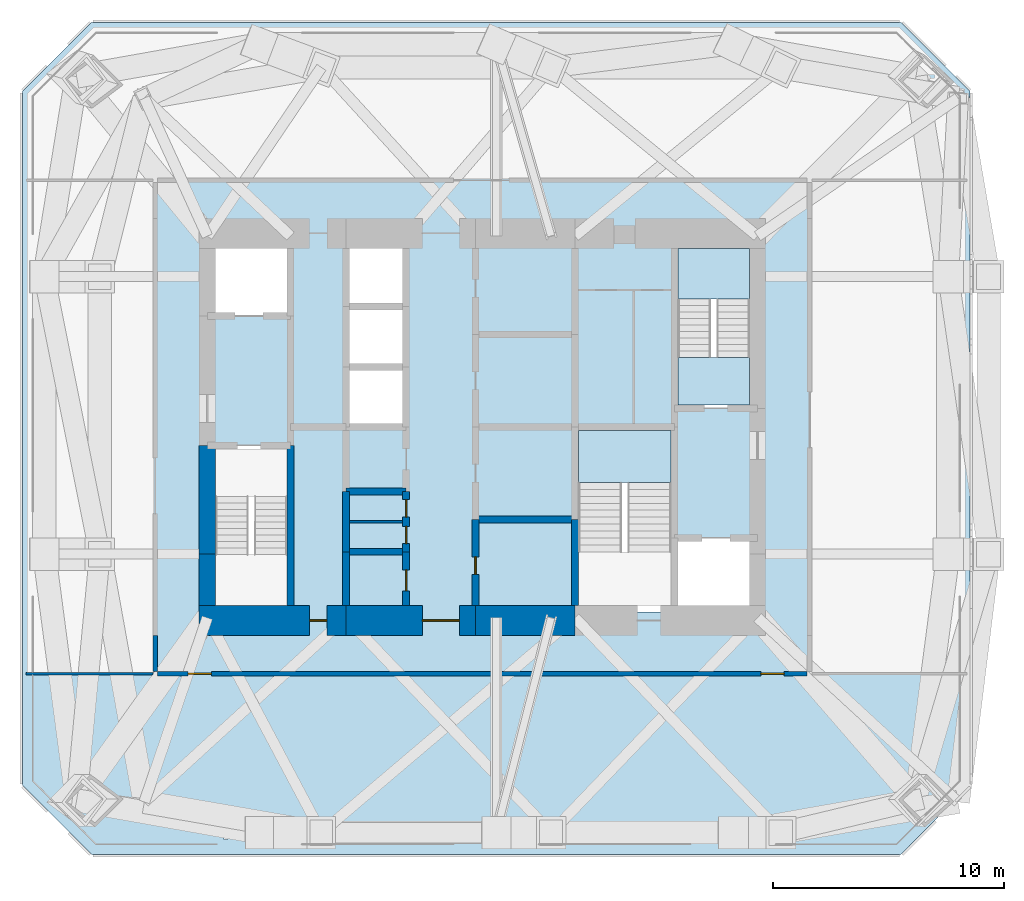
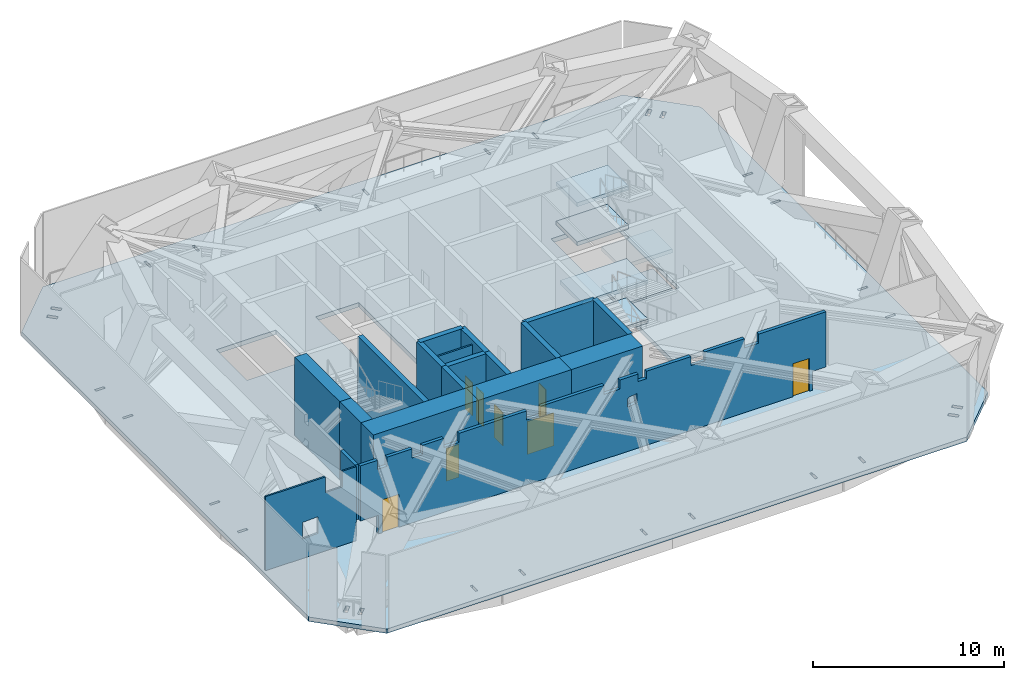
# One storey, part 3 of 8: 19 walls, 8 doors, 7 slabs, 8 openings, 2 elements without a shape of their own.
"""IFC4 building model written with IfcOpenShell, lengths in metres."""

from ifc_helpers import new_model, si_unit, direction, frame, frame_2d, origin, place, context, subcontext, project, spatial, polyline, rectangle, outline, extrude, material, layer, layer_set, constituent, constituent_set, type_object, element, fill, aggregate, save


model = new_model("IFC4")

# Units and contexts
model_context = context("Model", 3, precision=1e-05, world=origin(), true_north=direction((0.0, 1.0)))
body_context = subcontext(model_context, "Body", "Model", "MODEL_VIEW")
ifc_project = project(units=[si_unit("LENGTHUNIT", "METRE"), si_unit("AREAUNIT", "SQUARE_METRE"), si_unit("VOLUMEUNIT", "CUBIC_METRE"), si_unit("PLANEANGLEUNIT", "RADIAN"), si_unit("MASSUNIT", "GRAM", prefix="KILO")], contexts=[model_context])

# Site, building, storey
site_placement = place(None, origin())
site = spatial("IfcSite", under=ifc_project, at=site_placement, CompositionType="ELEMENT")
building_placement = place(site_placement, origin())
building = spatial("IfcBuilding", under=site, at=building_placement, Name="Jalousie Tower", CompositionType="ELEMENT")
storey_placement = place(building_placement, frame((0.0, 0.0, 207.949951171875)))
storey = spatial("IfcBuildingStorey", under=building, at=storey_placement, Name="L57", CompositionType="ELEMENT", Elevation=207.949951171875)

# Slab
ifc_material_1 = material(Name="Concrete f'c 40 MPa", Category="concrete")
ifc_layer_1 = layer(ifc_material_1, 0.280029296875)
ifc_layer_set_1 = layer_set([ifc_layer_1], Name="Concrete f'c 40 MPa")
slab_type_1 = type_object("IfcSlabType", Name="FLOOR SLAB 280", PredefinedType="FLOOR", material=ifc_layer_set_1)
slab_1_placement = place(storey_placement, frame((0.0, 0.0, -0.280029296875)))
element("IfcSlab", 1, at=slab_1_placement, inside=storey, type_object=slab_type_1, Name="L57 floor slab", PredefinedType="FLOOR", context=body_context, shape_type="SweptSolid", body=[
    extrude(outline(polyline([(15.0, 0.0), (50.0, 0.0), (53.0, 3.0), (53.0, 33.0), (50.0, 36.0), (15.0, 36.0), (12.0, 33.0), (12.0, 3.0), (15.0, 0.0)]), holes=[polyline([(23.77490234375, 0.663818359375), (23.629150390625, 0.663818359375), (23.629150390625, 1.236083984375), (23.77490234375, 1.236083984375), (23.77490234375, 0.663818359375)]), polyline([(20.72509765625, 0.663818359375), (20.72509765625, 1.236083984375), (20.870849609375, 1.236083984375), (20.870849609375, 0.663818359375), (20.72509765625, 0.663818359375)]), polyline([(14.499755859375, 1.79248046875), (14.343017578125, 1.94921875), (14.747802734375, 2.35400390625), (14.904296875, 2.197509765625), (14.499755859375, 1.79248046875)]), polyline([(14.197509765625, 2.904296875), (14.35400390625, 2.747802734375), (13.94921875, 2.343017578125), (13.79248046875, 2.499755859375), (14.197509765625, 2.904296875)]), polyline([(12.663818359375, 11.47509765625), (12.663818359375, 11.620849609375), (13.236083984375, 11.620849609375), (13.236083984375, 11.47509765625), (12.663818359375, 11.47509765625)]), polyline([(20.0, 10.5), (23.60009765625, 10.5), (23.60009765625, 17.699951171875), (20.0, 17.699951171875), (20.0, 10.5)]), polyline([(13.236083984375, 14.52490234375), (13.236083984375, 14.379150390625), (12.663818359375, 14.379150390625), (12.663818359375, 14.52490234375), (13.236083984375, 14.52490234375)]), polyline([(28.60009765625, 18.5), (26.0, 18.5), (26.0, 26.5), (28.60009765625, 26.5), (28.60009765625, 18.5)]), polyline([(13.236083984375, 23.47509765625), (12.663818359375, 23.47509765625), (12.663818359375, 23.620849609375), (13.236083984375, 23.620849609375), (13.236083984375, 23.47509765625)]), polyline([(20.0, 23.300048828125), (23.60009765625, 23.300048828125), (23.60009765625, 26.5), (20.0, 26.5), (20.0, 23.300048828125)]), polyline([(13.236083984375, 26.52490234375), (13.236083984375, 26.379150390625), (12.663818359375, 26.379150390625), (12.663818359375, 26.52490234375), (13.236083984375, 26.52490234375)]), polyline([(13.79248046875, 33.500244140625), (13.94921875, 33.656982421875), (14.35400390625, 33.252197265625), (14.197509765625, 33.095703125), (13.79248046875, 33.500244140625)]), polyline([(14.904296875, 33.802490234375), (14.747802734375, 33.64599609375), (14.343017578125, 34.05078125), (14.499755859375, 34.20751953125), (14.904296875, 33.802490234375)]), polyline([(20.72509765625, 35.336181640625), (20.870849609375, 35.336181640625), (20.870849609375, 34.763916015625), (20.72509765625, 34.763916015625), (20.72509765625, 35.336181640625)]), polyline([(23.77490234375, 34.763916015625), (23.629150390625, 34.763916015625), (23.629150390625, 35.336181640625), (23.77490234375, 35.336181640625), (23.77490234375, 34.763916015625)]), polyline([(30.97509765625, 35.336181640625), (31.120849609375, 35.336181640625), (31.120849609375, 34.763916015625), (30.97509765625, 34.763916015625), (30.97509765625, 35.336181640625)]), polyline([(34.02490234375, 1.236083984375), (34.02490234375, 0.663818359375), (33.879150390625, 0.663818359375), (33.879150390625, 1.236083984375), (34.02490234375, 1.236083984375)]), polyline([(41.22509765625, 1.236083984375), (41.370849609375, 1.236083984375), (41.370849609375, 0.663818359375), (41.22509765625, 0.663818359375), (41.22509765625, 1.236083984375)]), polyline([(44.27490234375, 0.663818359375), (44.129150390625, 0.663818359375), (44.129150390625, 1.236083984375), (44.27490234375, 1.236083984375), (44.27490234375, 0.663818359375)]), polyline([(30.97509765625, 1.236083984375), (31.120849609375, 1.236083984375), (31.120849609375, 0.663818359375), (30.97509765625, 0.663818359375), (30.97509765625, 1.236083984375)]), polyline([(50.095703125, 2.197509765625), (50.252197265625, 2.35400390625), (50.656982421875, 1.94921875), (50.500244140625, 1.79248046875), (50.095703125, 2.197509765625)]), polyline([(51.20751953125, 2.499755859375), (51.05078125, 2.343017578125), (50.64599609375, 2.747802734375), (50.802490234375, 2.904296875), (51.20751953125, 2.499755859375)]), polyline([(51.763916015625, 11.47509765625), (51.763916015625, 11.620849609375), (52.336181640625, 11.620849609375), (52.336181640625, 11.47509765625), (51.763916015625, 11.47509765625)]), polyline([(43.800048828125, 10.5), (35.89990234375, 10.5), (35.89990234375, 18.5), (40.199951171875, 18.5), (40.199951171875, 13.699951171875), (43.800048828125, 13.699951171875), (43.800048828125, 10.5)]), polyline([(52.336181640625, 14.52490234375), (52.336181640625, 14.379150390625), (51.763916015625, 14.379150390625), (51.763916015625, 14.52490234375), (52.336181640625, 14.52490234375)]), polyline([(40.199951171875, 19.300048828125), (43.800048828125, 19.300048828125), (43.800048828125, 26.5), (40.199951171875, 26.5), (40.199951171875, 19.300048828125)]), polyline([(52.336181640625, 23.47509765625), (51.763916015625, 23.47509765625), (51.763916015625, 23.620849609375), (52.336181640625, 23.620849609375), (52.336181640625, 23.47509765625)]), polyline([(52.336181640625, 26.52490234375), (52.336181640625, 26.379150390625), (51.763916015625, 26.379150390625), (51.763916015625, 26.52490234375), (52.336181640625, 26.52490234375)]), polyline([(50.802490234375, 33.095703125), (50.64599609375, 33.252197265625), (51.05078125, 33.656982421875), (51.20751953125, 33.500244140625), (50.802490234375, 33.095703125)]), polyline([(50.500244140625, 34.20751953125), (50.656982421875, 34.05078125), (50.252197265625, 33.64599609375), (50.095703125, 33.802490234375), (50.500244140625, 34.20751953125)]), polyline([(44.27490234375, 34.763916015625), (44.129150390625, 34.763916015625), (44.129150390625, 35.336181640625), (44.27490234375, 35.336181640625), (44.27490234375, 34.763916015625)]), polyline([(41.22509765625, 35.336181640625), (41.370849609375, 35.336181640625), (41.370849609375, 34.763916015625), (41.22509765625, 34.763916015625), (41.22509765625, 35.336181640625)]), polyline([(34.02490234375, 34.763916015625), (33.879150390625, 34.763916015625), (33.879150390625, 35.336181640625), (34.02490234375, 35.336181640625), (34.02490234375, 34.763916015625)])]), origin(), (0.0, 0.0, 1.0), 0.280029296875),
])

# Stair, slabs
ifc_material_2 = material(Name="Concrete f'c 40 MPa", Category="concrete")
stair_type = type_object("IfcStairType", Name="EXIT STAIR", PredefinedType="HALF_TURN_STAIR", material=ifc_material_2)
stair_1_placement = place(storey_placement, origin())
stair_1 = element("IfcStair", 2, at=stair_1_placement, inside=storey, type_object=stair_type, Name="Exit stair B L57", PredefinedType="HALF_TURN_STAIR")
ifc_material_3 = material(Name="Concrete f'c 40 MPa", Category="concrete")
ifc_layer_2 = layer(ifc_material_3, 0.25)
ifc_layer_set_2 = layer_set([ifc_layer_2], Name="Concrete f'c 40 MPa")
slab_type_2 = type_object("IfcSlabType", Name="STAIR LANDING 250", PredefinedType="LANDING", material=ifc_layer_set_2)
slab_2_placement = place(storey_placement, frame((0.0, 0.0, -0.25)))
slab_2 = element("IfcSlab", 3, at=slab_2_placement, type_object=slab_type_2, Name="ST-B landing 1", PredefinedType="LANDING", context=body_context, shape_type="SweptSolid", body=[
    extrude(outline(polyline([(40.35009765625, 19.449951171875), (43.449951171875, 19.449951171875), (43.449951171875, 21.50244140625), (40.35009765625, 21.50244140625), (40.35009765625, 19.449951171875)])), origin(), (0.0, 0.0, 1.0), 0.25),
])
slab_3_placement = place(storey_placement, frame((0.0, 0.0, 1.0)))
slab_3 = element("IfcSlab", 4, at=slab_3_placement, type_object=slab_type_2, Name="ST-B landing 2", PredefinedType="LANDING", context=body_context, shape_type="SweptSolid", body=[
    extrude(outline(polyline([(40.35009765625, 24.0224609375), (43.449951171875, 24.0224609375), (43.449951171875, 26.22509765625), (40.35009765625, 26.22509765625), (40.35009765625, 24.0224609375)])), origin(), (0.0, 0.0, 1.0), 0.25),
])
slab_4_placement = place(storey_placement, frame((0.0, 0.0, 2.25)))
slab_4 = element("IfcSlab", 5, at=slab_4_placement, type_object=slab_type_2, Name="ST-B landing 3", PredefinedType="LANDING", context=body_context, shape_type="SweptSolid", body=[
    extrude(outline(polyline([(40.35009765625, 19.449951171875), (43.449951171875, 19.449951171875), (43.449951171875, 21.50244140625), (40.35009765625, 21.50244140625), (40.35009765625, 19.449951171875)])), origin(), (0.0, 0.0, 1.0), 0.25),
])
slab_5_placement = place(storey_placement, frame((0.0, 0.0, 3.5)))
slab_5 = element("IfcSlab", 6, at=slab_5_placement, type_object=slab_type_2, Name="ST-B landing 4", PredefinedType="LANDING", context=body_context, shape_type="SweptSolid", body=[
    extrude(outline(polyline([(40.35009765625, 24.0224609375), (43.449951171875, 24.0224609375), (43.449951171875, 26.22509765625), (40.35009765625, 26.22509765625), (40.35009765625, 24.0224609375)])), origin(), (0.0, 0.0, 1.0), 0.25),
])
aggregate(stair_1, [slab_2, slab_3, slab_4, slab_5])

stair_2_placement = place(storey_placement, origin())
stair_2 = element("IfcStair", 7, at=stair_2_placement, inside=storey, type_object=stair_type, Name="Exit stair C L57", PredefinedType="HALF_TURN_STAIR")
slab_6_placement = place(storey_placement, frame((0.0, 0.0, 1.0)))
slab_6 = element("IfcSlab", 8, at=slab_6_placement, type_object=slab_type_2, Name="ST-C landing 2", PredefinedType="LANDING", context=body_context, shape_type="SweptSolid", body=[
    extrude(outline(polyline([(36.050048828125, 16.097412109375), (40.050048828125, 16.097412109375), (40.050048828125, 18.35009765625), (36.050048828125, 18.35009765625), (36.050048828125, 16.097412109375)])), origin(), (0.0, 0.0, 1.0), 0.25),
])
slab_7_placement = place(storey_placement, frame((0.0, 0.0, 3.5)))
slab_7 = element("IfcSlab", 9, at=slab_7_placement, type_object=slab_type_2, Name="ST-C landing 4", PredefinedType="LANDING", context=body_context, shape_type="SweptSolid", body=[
    extrude(outline(polyline([(36.050048828125, 16.097412109375), (40.050048828125, 16.097412109375), (40.050048828125, 18.35009765625), (36.050048828125, 18.35009765625), (36.050048828125, 16.097412109375)])), origin(), (0.0, 0.0, 1.0), 0.25),
])
aggregate(stair_2, [slab_6, slab_7])

# Wall, opening, door
ifc_material_4 = material(Name="Concrete f'c 120 MPa", Category="concrete")
ifc_layer_3 = layer(ifc_material_4, 1.300048828125)
ifc_layer_set_3 = layer_set([ifc_layer_3], Name="Concrete f'c 120 MPa")
wall_type_1 = type_object("IfcWallType", Name="CORE WALL 1300", PredefinedType="SHEAR", material=ifc_layer_set_3)
wall_1_placement = place(storey_placement, frame((19.64990234375, 10.125, 0.0), z_axis=(0.0, 0.0, 1.0), x_axis=(1.0, 0.0, 0.0)))
wall_1 = element("IfcWall", 10, at=wall_1_placement, inside=storey, type_object=wall_type_1, Name="Core wall SA L57", PredefinedType="SHEAR", context=body_context, shape_type="SweptSolid", body=[
    extrude(rectangle(XDim=6.35009765625, YDim=1.300048828125, at=frame_2d((3.175048828125, 0.0))), origin(), (0.0, 0.0, 1.0), 5.0),
])
opening_1_placement = place(wall_1_placement, frame((4.77490234375, 0.0, 0.0)))
opening_1 = element("IfcOpeningElement", 11, at=opening_1_placement, cuts=wall_1, Name="Opening D16", PredefinedType="OPENING", context=body_context, shape_type="SweptSolid", body=[
    extrude(rectangle(XDim=0.75, YDim=2.10009765625, at=frame_2d((0.375, 1.050048828125))), frame((0.0, 0.659912109375, 0.0), z_axis=(0.0, -1.0, 0.0), x_axis=(1.0, 0.0, 0.0)), (0.0, 0.0, 1.0), 1.320068359375),
])
ifc_material_5 = material(Name="Steel fire door", Category="steel")
door_type_1 = type_object("IfcDoorType", Name="RISER DOOR 750", OperationType="SINGLE_SWING_LEFT", PredefinedType="DOOR", material=ifc_material_5)
door_1_placement = place(opening_1_placement, origin())
door_1 = element("IfcDoor", 12, at=door_1_placement, inside=storey, type_object=door_type_1, Name="South riser door", OperationType="SINGLE_SWING_LEFT", OverallHeight=2.10009765625, OverallWidth=0.75, PredefinedType="DOOR", context=body_context, shape_type="SweptSolid", body=[
    extrude(rectangle(XDim=0.75, YDim=2.10009765625, at=frame_2d((0.375, 1.050048828125))), frame((0.0, 0.02490234375, 0.0), z_axis=(0.0, -1.0, 0.0), x_axis=(1.0, 0.0, 0.0)), (0.0, 0.0, 1.0), 0.050048828125),
])
fill(opening_1, door_1)

wall_2_placement = place(storey_placement, frame((26.0, 10.125, 0.0), z_axis=(0.0, 0.0, 1.0), x_axis=(1.0, 0.0, 0.0)))
wall_2 = element("IfcWall", 13, at=wall_2_placement, inside=storey, type_object=wall_type_1, Name="Core wall SB L57", PredefinedType="SHEAR", context=body_context, shape_type="SweptSolid", body=[
    extrude(rectangle(XDim=5.60009765625, YDim=1.300048828125, at=frame_2d((2.800048828125, 0.0))), origin(), (0.0, 0.0, 1.0), 5.0),
])
opening_2_placement = place(wall_2_placement, frame((3.300048828125, 0.0, 0.0)))
opening_2 = element("IfcOpeningElement", 14, at=opening_2_placement, cuts=wall_2, Name="Opening D15", PredefinedType="OPENING", context=body_context, shape_type="SweptSolid", body=[
    extrude(rectangle(XDim=1.60009765625, YDim=2.10009765625, at=frame_2d((0.800048828125, 1.050048828125))), frame((0.0, 0.659912109375, 0.0), z_axis=(0.0, -1.0, 0.0), x_axis=(1.0, 0.0, 0.0)), (0.0, 0.0, 1.0), 1.320068359375),
])
ifc_material_6 = material(Name="Steel fire door", Category="steel")
door_type_2 = type_object("IfcDoorType", Name="LIFT LOBBY DOOR 1600", OperationType="DOUBLE_DOOR_SINGLE_SWING", PredefinedType="DOOR", material=ifc_material_6)
door_2_placement = place(opening_2_placement, origin())
door_2 = element("IfcDoor", 15, at=door_2_placement, inside=storey, type_object=door_type_2, Name="Lift lobby south door", OperationType="DOUBLE_DOOR_SINGLE_SWING", OverallHeight=2.10009765625, OverallWidth=1.60009765625, PredefinedType="DOOR", context=body_context, shape_type="SweptSolid", body=[
    extrude(rectangle(XDim=1.60009765625, YDim=2.10009765625, at=frame_2d((0.800048828125, 1.050048828125))), frame((0.0, 0.02490234375, 0.0), z_axis=(0.0, -1.0, 0.0), x_axis=(1.0, 0.0, 0.0)), (0.0, 0.0, 1.0), 0.050048828125),
])
fill(opening_2, door_2)

# Walls
wall_3_placement = place(storey_placement, frame((31.60009765625, 10.125, 0.0), z_axis=(0.0, 0.0, 1.0), x_axis=(1.0, 0.0, 0.0)))
element("IfcWall", 16, at=wall_3_placement, inside=storey, type_object=wall_type_1, Name="Core wall SC L57", PredefinedType="SHEAR", context=body_context, shape_type="SweptSolid", body=[
    extrude(rectangle(XDim=4.2998046875, YDim=1.300048828125, at=frame_2d((2.14990234375, 0.0))), origin(), (0.0, 0.0, 1.0), 5.0),
])
ifc_material_7 = material(Name="Concrete f'c 120 MPa", Category="concrete")
ifc_layer_4 = layer(ifc_material_7, 0.300048828125)
ifc_layer_set_4 = layer_set([ifc_layer_4], Name="Concrete f'c 120 MPa")
wall_type_2 = type_object("IfcWallType", Name="CORE WALL 300", PredefinedType="SHEAR", material=ifc_layer_set_4)
wall_4_placement = place(storey_placement, frame((23.60009765625, 10.77490234375, 0.0), z_axis=(0.0, 0.0, 1.0), x_axis=(0.0, 1.0, 0.0)))
element("IfcWall", 17, at=wall_4_placement, inside=storey, type_object=wall_type_2, Name="Core wall X23.6A L57", PredefinedType="SHEAR", context=body_context, shape_type="SweptSolid", body=[
    extrude(rectangle(XDim=6.925048828125, YDim=0.300048828125, at=frame_2d((3.46240234375, 0.0))), origin(), (0.0, 0.0, 1.0), 5.0),
])
wall_5_placement = place(storey_placement, frame((26.0, 10.77490234375, 0.0), z_axis=(0.0, 0.0, 1.0), x_axis=(0.0, 1.0, 0.0)))
element("IfcWall", 18, at=wall_5_placement, inside=storey, type_object=wall_type_2, Name="Core wall X26A L57", PredefinedType="SHEAR", context=body_context, shape_type="SweptSolid", body=[
    extrude(rectangle(XDim=2.3251953125, YDim=0.300048828125, at=frame_2d((1.16259765625, 0.0))), origin(), (0.0, 0.0, 1.0), 5.0),
])
wall_6_placement = place(storey_placement, frame((26.0, 13.10009765625, 0.0), z_axis=(0.0, 0.0, 1.0), x_axis=(0.0, 1.0, 0.0)))
element("IfcWall", 19, at=wall_6_placement, inside=storey, type_object=wall_type_2, Name="Core wall X26B L57", PredefinedType="SHEAR", context=body_context, shape_type="SweptSolid", body=[
    extrude(rectangle(XDim=2.599853515625, YDim=0.300048828125, at=frame_2d((1.2998046875, 0.0))), origin(), (0.0, 0.0, 1.0), 5.0),
])

# Wall, opening, door
wall_7_placement = place(storey_placement, frame((28.60009765625, 10.77490234375, 0.0), z_axis=(0.0, 0.0, 1.0), x_axis=(0.0, 1.0, 0.0)))
wall_7 = element("IfcWall", 20, at=wall_7_placement, inside=storey, type_object=wall_type_2, Name="Core wall X28.6A L57", PredefinedType="SHEAR", context=body_context, shape_type="SweptSolid", body=[
    extrude(rectangle(XDim=2.3251953125, YDim=0.300048828125, at=frame_2d((1.16259765625, 0.0))), origin(), (0.0, 0.0, 1.0), 5.0),
])
opening_3_placement = place(wall_7_placement, frame((0.637451171875, 0.0, 0.0)))
opening_3 = element("IfcOpeningElement", 21, at=opening_3_placement, cuts=wall_7, Name="Opening D24", PredefinedType="OPENING", context=body_context, shape_type="SweptSolid", body=[
    extrude(rectangle(XDim=0.89990234375, YDim=2.10009765625, at=frame_2d((0.449951171875, 1.050048828125))), frame((0.0, 0.159912109375, 0.0), z_axis=(0.0, -1.0, 0.0), x_axis=(1.0, 0.0, 0.0)), (0.0, 0.0, 1.0), 0.320068359375),
])
ifc_material_8 = material(Name="Steel fire door", Category="steel")
door_type_3 = type_object("IfcDoorType", Name="CORE ROOM DOOR 900", OperationType="SINGLE_SWING_LEFT", PredefinedType="DOOR", material=ifc_material_8)
door_3_placement = place(opening_3_placement, origin())
door_3 = element("IfcDoor", 22, at=door_3_placement, inside=storey, type_object=door_type_3, Name="Maintenance store door", OperationType="SINGLE_SWING_RIGHT", OverallHeight=2.10009765625, OverallWidth=0.89990234375, PredefinedType="DOOR", context=body_context, shape_type="SweptSolid", body=[
    extrude(rectangle(XDim=0.89990234375, YDim=2.10009765625, at=frame_2d((0.449951171875, 1.050048828125))), frame((0.0, 0.02490234375, 0.0), z_axis=(0.0, -1.0, 0.0), x_axis=(1.0, 0.0, 0.0)), (0.0, 0.0, 1.0), 0.050048828125),
])
fill(opening_3, door_3)

# Wall, openings, doors
wall_8_placement = place(storey_placement, frame((28.60009765625, 13.10009765625, 0.0), z_axis=(0.0, 0.0, 1.0), x_axis=(0.0, 1.0, 0.0)))
wall_8 = element("IfcWall", 23, at=wall_8_placement, inside=storey, type_object=wall_type_2, Name="Core wall X28.6B L57", PredefinedType="SHEAR", context=body_context, shape_type="SweptSolid", body=[
    extrude(rectangle(XDim=2.599853515625, YDim=0.300048828125, at=frame_2d((1.2998046875, 0.0))), origin(), (0.0, 0.0, 1.0), 5.0),
])
opening_4_placement = place(wall_8_placement, frame((0.35009765625, 0.0, 0.0)))
opening_4 = element("IfcOpeningElement", 24, at=opening_4_placement, cuts=wall_8, Name="Opening D27", PredefinedType="OPENING", context=body_context, shape_type="SweptSolid", body=[
    extrude(rectangle(XDim=0.75, YDim=2.10009765625, at=frame_2d((0.375, 1.050048828125))), frame((0.0, 0.159912109375, 0.0), z_axis=(0.0, -1.0, 0.0), x_axis=(1.0, 0.0, 0.0)), (0.0, 0.0, 1.0), 0.320068359375),
])
opening_5_placement = place(wall_8_placement, frame((1.5, 0.0, 0.0)))
opening_5 = element("IfcOpeningElement", 25, at=opening_5_placement, cuts=wall_8, Name="Opening D27", PredefinedType="OPENING", context=body_context, shape_type="SweptSolid", body=[
    extrude(rectangle(XDim=0.75, YDim=2.10009765625, at=frame_2d((0.375, 1.050048828125))), frame((0.0, 0.159912109375, 0.0), z_axis=(0.0, -1.0, 0.0), x_axis=(1.0, 0.0, 0.0)), (0.0, 0.0, 1.0), 0.320068359375),
])
ifc_material_9 = material(Name="Steel fire door", Category="steel")
door_type_4 = type_object("IfcDoorType", Name="CORE ROOM DOOR 750", OperationType="SINGLE_SWING_LEFT", PredefinedType="DOOR", material=ifc_material_9)
door_4_placement = place(opening_4_placement, origin())
door_4 = element("IfcDoor", 26, at=door_4_placement, inside=storey, type_object=door_type_4, Name="Plant spares store door", OperationType="SINGLE_SWING_RIGHT", OverallHeight=2.10009765625, OverallWidth=0.75, PredefinedType="DOOR", context=body_context, shape_type="SweptSolid", body=[
    extrude(rectangle(XDim=0.75, YDim=2.10009765625, at=frame_2d((0.375, 1.050048828125))), frame((0.0, 0.02490234375, 0.0), z_axis=(0.0, -1.0, 0.0), x_axis=(1.0, 0.0, 0.0)), (0.0, 0.0, 1.0), 0.050048828125),
])
fill(opening_4, door_4)
door_5_placement = place(opening_5_placement, origin())
door_5 = element("IfcDoor", 27, at=door_5_placement, inside=storey, type_object=door_type_4, Name="Store door", OperationType="SINGLE_SWING_LEFT", OverallHeight=2.10009765625, OverallWidth=0.75, PredefinedType="DOOR", context=body_context, shape_type="SweptSolid", body=[
    extrude(rectangle(XDim=0.75, YDim=2.10009765625, at=frame_2d((0.375, 1.050048828125))), frame((0.0, 0.02490234375, 0.0), z_axis=(0.0, -1.0, 0.0), x_axis=(1.0, 0.0, 0.0)), (0.0, 0.0, 1.0), 0.050048828125),
])
fill(opening_5, door_5)

# Wall, opening, door
wall_9_placement = place(storey_placement, frame((31.60009765625, 10.77490234375, 0.0), z_axis=(0.0, 0.0, 1.0), x_axis=(0.0, 1.0, 0.0)))
wall_9 = element("IfcWall", 28, at=wall_9_placement, inside=storey, type_object=wall_type_2, Name="Core wall X31.6A L57", PredefinedType="SHEAR", context=body_context, shape_type="SweptSolid", body=[
    extrude(rectangle(XDim=3.72509765625, YDim=0.300048828125, at=frame_2d((1.862548828125, 0.0))), origin(), (0.0, 0.0, 1.0), 5.0),
])
opening_6_placement = place(wall_9_placement, frame((1.35009765625, 0.0, 0.0)))
opening_6 = element("IfcOpeningElement", 29, at=opening_6_placement, cuts=wall_9, Name="Opening D16", PredefinedType="OPENING", context=body_context, shape_type="SweptSolid", body=[
    extrude(rectangle(XDim=0.75, YDim=2.10009765625, at=frame_2d((0.375, 1.050048828125))), frame((0.0, 0.159912109375, 0.0), z_axis=(0.0, -1.0, 0.0), x_axis=(1.0, 0.0, 0.0)), (0.0, 0.0, 1.0), 0.320068359375),
])
door_6_placement = place(opening_6_placement, frame((0.75, 0.0, 0.0), z_axis=(0.0, 0.0, 1.0), x_axis=(-1.0, 0.0, 0.0)))
door_6 = element("IfcDoor", 30, at=door_6_placement, inside=storey, type_object=door_type_1, Name="Refuse Room door", OperationType="SINGLE_SWING_RIGHT", OverallHeight=2.10009765625, OverallWidth=0.75, PredefinedType="DOOR", context=body_context, shape_type="SweptSolid", body=[
    extrude(rectangle(XDim=0.75, YDim=2.10009765625, at=frame_2d((0.375, 1.050048828125))), frame((0.0, 0.02490234375, 0.0), z_axis=(0.0, -1.0, 0.0), x_axis=(1.0, 0.0, 0.0)), (0.0, 0.0, 1.0), 0.050048828125),
])
fill(opening_6, door_6)

# Walls
wall_10_placement = place(storey_placement, frame((35.89990234375, 10.77490234375, 0.0), z_axis=(0.0, 0.0, 1.0), x_axis=(0.0, 1.0, 0.0)))
element("IfcWall", 31, at=wall_10_placement, inside=storey, type_object=wall_type_2, Name="Core wall X35.9A L57", PredefinedType="SHEAR", context=body_context, shape_type="SweptSolid", body=[
    extrude(rectangle(XDim=3.72509765625, YDim=0.300048828125, at=frame_2d((1.862548828125, 0.0))), origin(), (0.0, 0.0, 1.0), 5.0),
])
for number, where, z_axis, x_axis, name in (
    (32, (26.0, 13.10009765625, 0.0), (0.0, 0.0, 1.0), (1.0, 0.0, 0.0), "Core wall Y26-13.1 L57"),
    (33, (26.0, 15.699951171875, 0.0), (0.0, 0.0, 1.0), (1.0, 0.0, 0.0), "Core wall Y26-15.7 L57"),
):
    element("IfcWall", number, at=place(storey_placement, frame(where, z_axis=z_axis, x_axis=x_axis)), inside=storey, type_object=wall_type_2, Name=name, PredefinedType="SHEAR", context=body_context, shape_type="SweptSolid", body=[
        extrude(rectangle(XDim=2.60009765625, YDim=0.300048828125, at=frame_2d((1.300048828125, 0.0))), origin(), (0.0, 0.0, 1.0), 5.0),
    ])
wall_11_placement = place(storey_placement, frame((31.60009765625, 14.5, 0.0), z_axis=(0.0, 0.0, 1.0), x_axis=(1.0, 0.0, 0.0)))
element("IfcWall", 34, at=wall_11_placement, inside=storey, type_object=wall_type_2, Name="Core wall Y31.6-14.5 L57", PredefinedType="SHEAR", context=body_context, shape_type="SweptSolid", body=[
    extrude(rectangle(XDim=4.2998046875, YDim=0.300048828125, at=frame_2d((2.14990234375, 0.0))), origin(), (0.0, 0.0, 1.0), 5.0),
])
ifc_material_10 = material(Name="Concrete f'c 120 MPa", Category="concrete")
ifc_layer_5 = layer(ifc_material_10, 0.699951171875)
ifc_layer_set_5 = layer_set([ifc_layer_5], Name="Concrete f'c 120 MPa")
wall_type_3 = type_object("IfcWallType", Name="CORE WALL 700", PredefinedType="SHEAR", material=ifc_layer_set_5)
wall_12_placement = place(storey_placement, frame((20.0, 17.699951171875, 0.0), z_axis=(0.0, 0.0, 1.0), x_axis=(0.0, -1.0, 0.0)))
element("IfcWall", 35, at=wall_12_placement, inside=storey, type_object=wall_type_3, Name="Core wall WC L57", PredefinedType="SHEAR", context=body_context, shape_type="SweptSolid", body=[
    extrude(rectangle(XDim=4.699951171875, YDim=0.699951171875, at=frame_2d((2.35009765625, 0.0))), origin(), (0.0, 0.0, 1.0), 5.0),
])
wall_13_placement = place(storey_placement, frame((20.0, 13.0, 0.0), z_axis=(0.0, 0.0, 1.0), x_axis=(0.0, -1.0, 0.0)))
element("IfcWall", 36, at=wall_13_placement, inside=storey, type_object=wall_type_3, Name="Core wall WD L57", PredefinedType="SHEAR", context=body_context, shape_type="SweptSolid", body=[
    extrude(rectangle(XDim=2.22509765625, YDim=0.699951171875, at=frame_2d((1.112548828125, 0.0))), origin(), (0.0, 0.0, 1.0), 5.0),
])

# Wall, openings, doors
ifc_material_11 = material(Name="Concrete block ASTM C90", Category="concrete")
ifc_constituent_1 = constituent(ifc_material_11, Name="Body")
ifc_material_12 = material(Name="Render")
ifc_constituent_2 = constituent(ifc_material_12, Name="Finish")
ifc_constituent_set_1 = constituent_set(constituents=[ifc_constituent_1, ifc_constituent_2])
wall_type_4 = type_object("IfcWallType", Name="CORRIDOR WALL 200", PredefinedType="PARTITIONING", material=ifc_constituent_set_1)
wall_14_placement = place(storey_placement, frame((17.85009765625, 7.824951171875, 0.0), z_axis=(0.0, 0.0, 1.0), x_axis=(1.0, 0.0, 0.0)))
wall_14 = element("IfcWall", 37, at=wall_14_placement, inside=storey, type_object=wall_type_4, Name="Corridor Wall 200 L57", PredefinedType="PARTITIONING", context=body_context, shape_type="SweptSolid", body=[
    extrude(outline(polyline([(28.10009765625, 1.199951171875), (28.10009765625, 4.719970703125), (24.046142578125, 4.719970703125), (24.046142578125, 4.140869140625), (23.199462890625, 4.140869140625), (23.199462890625, 4.719970703125), (20.796875, 4.719970703125), (20.796875, 4.140869140625), (19.950927734375, 4.140869140625), (19.950927734375, 4.719970703125), (17.281494140625, 4.719970703125), (17.281494140625, 4.2451171875), (16.7685546875, 4.2451171875), (16.7685546875, 4.719970703125), (15.674560546875, 4.719970703125), (15.674560546875, 4.140869140625), (14.70849609375, 4.140869140625), (14.70849609375, 4.719970703125), (10.885986328125, 4.719970703125), (10.885986328125, 4.140869140625), (10.042236328125, 4.140869140625), (10.042236328125, 4.719970703125), (5.956298828125, 4.719970703125), (5.956298828125, 4.140869140625), (5.037353515625, 4.140869140625), (5.037353515625, 4.719970703125), (3.758056640625, 4.719970703125), (3.758056640625, 4.140869140625), (3.116943359375, 4.140869140625), (3.116943359375, 4.719970703125), (1.605712890625, 4.719970703125), (1.605712890625, 4.140869140625), (1.0380859375, 4.140869140625), (1.0380859375, 4.719970703125), (0.0, 4.719970703125), (0.0, 1.199951171875), (1.101806640625, 1.199951171875), (1.101806640625, 0.0), (27.30419921875, 0.0), (27.30419921875, 1.199951171875), (28.10009765625, 1.199951171875)]), holes=[polyline([(16.179443359375, 3.43017578125), (16.686279296875, 3.49560546875), (16.686279296875, 3.003662109375), (16.632080078125, 2.88916015625), (16.125, 2.82373046875), (16.125, 3.315673828125), (16.179443359375, 3.43017578125)])]), frame((0.0, 0.10009765625, 0.0), z_axis=(0.0, -1.0, 0.0), x_axis=(1.0, 0.0, 0.0)), (0.0, 0.0, 1.0), 0.199951171875),
])
opening_7_placement = place(wall_14_placement, frame((1.324951171875, 0.0, 0.0)))
opening_7 = element("IfcOpeningElement", 38, at=opening_7_placement, cuts=wall_14, Name="Opening D21", PredefinedType="OPENING", context=body_context, shape_type="SweptSolid", body=[
    extrude(rectangle(XDim=1.0, YDim=2.10009765625, at=frame_2d((0.5, 1.050048828125))), frame((0.0, 0.10986328125, 0.0), z_axis=(0.0, -1.0, 0.0), x_axis=(1.0, 0.0, 0.0)), (0.0, 0.0, 1.0), 0.219970703125),
])
opening_8_placement = place(wall_14_placement, frame((26.10009765625, 0.0, 0.0)))
opening_8 = element("IfcOpeningElement", 39, at=opening_8_placement, cuts=wall_14, Name="Opening D21", PredefinedType="OPENING", context=body_context, shape_type="SweptSolid", body=[
    extrude(rectangle(XDim=1.0, YDim=2.10009765625, at=frame_2d((0.5, 1.050048828125))), frame((0.0, 0.10986328125, 0.0), z_axis=(0.0, -1.0, 0.0), x_axis=(1.0, 0.0, 0.0)), (0.0, 0.0, 1.0), 0.219970703125),
])
ifc_material_13 = material(Name="Timber fire door", Category="wood")
door_type_5 = type_object("IfcDoorType", Name="CORRIDOR DOOR 1000", OperationType="SINGLE_SWING_LEFT", PredefinedType="DOOR", material=ifc_material_13)
door_7_placement = place(opening_7_placement, frame((1.0, 0.0, 0.0), z_axis=(0.0, 0.0, 1.0), x_axis=(-1.0, 0.0, 0.0)))
door_7 = element("IfcDoor", 40, at=door_7_placement, inside=storey, type_object=door_type_5, Name="Refuge area door", OperationType="SINGLE_SWING_RIGHT", OverallHeight=2.10009765625, OverallWidth=1.0, PredefinedType="DOOR", context=body_context, shape_type="SweptSolid", body=[
    extrude(rectangle(XDim=1.0, YDim=2.10009765625, at=frame_2d((0.5, 1.050048828125))), frame((0.0, 0.02490234375, 0.0), z_axis=(0.0, -1.0, 0.0), x_axis=(1.0, 0.0, 0.0)), (0.0, 0.0, 1.0), 0.050048828125),
])
fill(opening_7, door_7)
door_8_placement = place(opening_8_placement, frame((1.0, 0.0, 0.0), z_axis=(0.0, 0.0, 1.0), x_axis=(-1.0, 0.0, 0.0)))
door_8 = element("IfcDoor", 41, at=door_8_placement, inside=storey, type_object=door_type_5, Name="Refuge area second door", OperationType="SINGLE_SWING_LEFT", OverallHeight=2.10009765625, OverallWidth=1.0, PredefinedType="DOOR", context=body_context, shape_type="SweptSolid", body=[
    extrude(rectangle(XDim=1.0, YDim=2.10009765625, at=frame_2d((0.5, 1.050048828125))), frame((0.0, 0.02490234375, 0.0), z_axis=(0.0, -1.0, 0.0), x_axis=(1.0, 0.0, 0.0)), (0.0, 0.0, 1.0), 0.050048828125),
])
fill(opening_8, door_8)

# Walls
wall_15_placement = place(storey_placement, frame((17.75, 7.925048828125, 0.0), z_axis=(0.0, 0.0, 1.0), x_axis=(0.0, 1.0, 0.0)))
element("IfcWall", 42, at=wall_15_placement, inside=storey, type_object=wall_type_4, Name="Corridor Wall 200 L57", PredefinedType="PARTITIONING", context=body_context, shape_type="SweptSolid", body=[
    extrude(outline(polyline([(1.550048828125, 4.719970703125), (0.0, 4.719970703125), (0.0, 1.199951171875), (0.178466796875, 1.199951171875), (0.178466796875, 0.0), (1.550048828125, 0.0), (1.550048828125, 4.719970703125)])), frame((0.0, 0.10009765625, 0.0), z_axis=(0.0, -1.0, 0.0), x_axis=(1.0, 0.0, 0.0)), (0.0, 0.0, 1.0), 0.199951171875),
])
ifc_material_14 = material(Name="Gypsum board", Category="gypsum")
ifc_constituent_3 = constituent(ifc_material_14, Name="Body")
ifc_material_15 = material(Name="Light-gauge steel studs ASTM A653 SS Grade 33", Category="steel")
ifc_constituent_4 = constituent(ifc_material_15, Name="Framing")
ifc_constituent_set_2 = constituent_set(constituents=[ifc_constituent_3, ifc_constituent_4])
wall_type_5 = type_object("IfcWallType", Name="PARTITION 100", PredefinedType="PARTITIONING", material=ifc_constituent_set_2)
wall_16_placement = place(storey_placement, frame((12.14990234375, 7.824951171875, 0.0), z_axis=(0.0, 0.0, 1.0), x_axis=(1.0, 0.0, 0.0)))
element("IfcWall", 43, at=wall_16_placement, inside=storey, type_object=wall_type_5, Name="Partition 100 L57", PredefinedType="PARTITIONING", context=body_context, shape_type="SweptSolid", body=[
    extrude(outline(polyline([(5.5, 1.199951171875), (5.5, 4.719970703125), (4.6474609375, 4.719970703125), (4.6474609375, 3.719970703125), (3.61328125, 3.719970703125), (3.61328125, 4.719970703125), (0.0, 4.719970703125), (0.0, 0.0), (5.465087890625, 0.0), (5.465087890625, 1.199951171875), (5.5, 1.199951171875)]), holes=[polyline([(2.24658203125, 1.240478515625), (2.24658203125, 2.245361328125), (2.2578125, 2.30078125), (3.18017578125, 2.34130859375), (3.18017578125, 1.33642578125), (3.1689453125, 1.28076171875), (2.24658203125, 1.240478515625)])]), frame((0.0, 0.050048828125, 0.0), z_axis=(0.0, -1.0, 0.0), x_axis=(1.0, 0.0, 0.0)), (0.0, 0.0, 1.0), 0.10009765625),
])
wall_17_placement = place(storey_placement, frame((26.14990234375, 14.39990234375, 0.0), z_axis=(0.0, 0.0, 1.0), x_axis=(1.0, 0.0, 0.0)))
element("IfcWall", 44, at=wall_17_placement, inside=storey, type_object=wall_type_5, Name="Partition 100 L57", PredefinedType="PARTITIONING", context=body_context, shape_type="SweptSolid", body=[
    extrude(rectangle(XDim=2.300048828125, YDim=0.10009765625, at=frame_2d((1.14990234375, 0.0))), origin(), (0.0, 0.0, 1.0), 4.719970703125),
])

save(model, "model.ifc")
